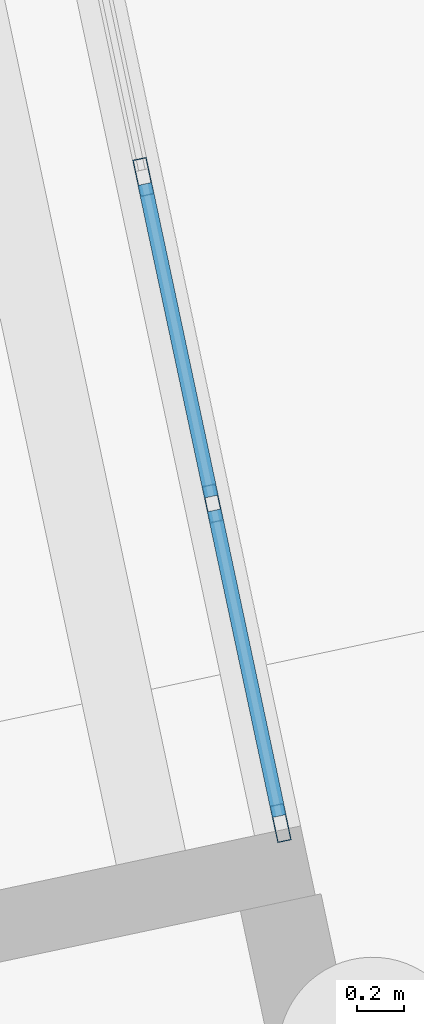
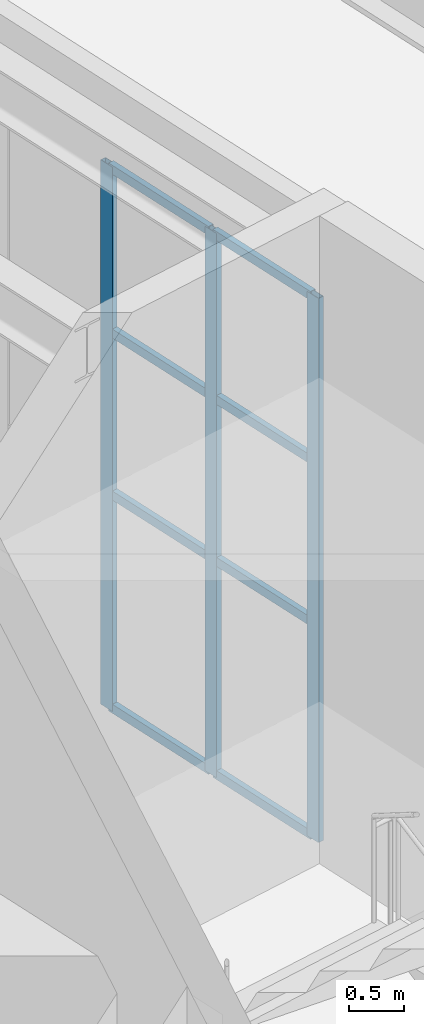
# One storey, part 121 of 239: 11 members, 1 element without a shape of its own.
"""IFC4 building model written with IfcOpenShell, lengths in metres."""

from ifc_helpers import new_model, si_unit, direction, frame, origin, origin_2d, place, context, subcontext, project, spatial, hollow_rectangle, extrude, material, material_profile, profile_set, type_object, element, aggregate, save


model = new_model("IFC4")

# Units and contexts
model_context = context("Model", 3, precision=1e-05, world=origin(), true_north=direction((0.0, 1.0)))
body_context = subcontext(model_context, "Body", "Model", "MODEL_VIEW")
ifc_project = project(units=[si_unit("LENGTHUNIT", "METRE"), si_unit("AREAUNIT", "SQUARE_METRE"), si_unit("VOLUMEUNIT", "CUBIC_METRE"), si_unit("PLANEANGLEUNIT", "RADIAN"), si_unit("MASSUNIT", "GRAM", prefix="KILO")], contexts=[model_context])

# Site, building, storey
site_placement = place(None, origin())
site = spatial("IfcSite", under=ifc_project, at=site_placement, CompositionType="ELEMENT")
building_placement = place(site_placement, origin())
building = spatial("IfcBuilding", under=site, at=building_placement, Name="Okhra Congress Centre", CompositionType="ELEMENT")
storey_placement = place(building_placement, origin())
storey = spatial("IfcBuildingStorey", under=building, at=storey_placement, Name="L00", CompositionType="ELEMENT", Elevation=0.0)

# Curtain wall, members
ifc_material_1 = material(Name="Aluminium curtain wall, triple glazing", Category="aluminium")
curtain_wall_type = type_object("IfcCurtainWallType", Name="Curtain wall 1500 module", PredefinedType="NOTDEFINED", material=ifc_material_1)
curtain_wall_placement = place(storey_placement, origin())
curtain_wall = element("IfcCurtainWall", 1, at=curtain_wall_placement, inside=storey, type_object=curtain_wall_type, Name="Ground curtain wall E13", PredefinedType="NOTDEFINED")
ifc_material_2 = material(Name="Aluminium alloy EN AW-6063 T66", Category="aluminium")
ifc_material_profile_1 = material_profile(ifc_material_2, hollow_rectangle(XDim=0.06005859375, YDim=0.159912109375, WallThickness=0.00390625, at=origin_2d()), Name="RHS 60x160x4")
ifc_profile_set_1 = profile_set([ifc_material_profile_1], Name="Aluminium alloy EN AW-6063 T66")
member_type_1 = type_object("IfcMemberType", Name="Curtain wall mullion 60x160", PredefinedType="MULLION", material=ifc_profile_set_1)
member_1_placement = place(storey_placement, frame((210.929931640625, 70.94873046875, 0.0), z_axis=(0.0, 0.0, 1.0), x_axis=(-0.978147600734, -0.207911690818, 0.0)))
member_1 = element("IfcMember", 2, at=member_1_placement, type_object=member_type_1, Name="CW7 mullion 1", PredefinedType="MULLION", context=body_context, shape_type="SweptSolid", body=[
    extrude(hollow_rectangle(XDim=0.06005859375, YDim=0.159912109375, WallThickness=0.00390625, at=origin_2d()), origin(), (0.0, 0.0, 1.0), 6.050048828125),
])
member_2_placement = place(storey_placement, frame((210.641357421875, 72.306396484375, 0.0), z_axis=(0.0, 0.0, 1.0), x_axis=(-0.978147600734, -0.207911690818, 0.0)))
member_2 = element("IfcMember", 3, at=member_2_placement, type_object=member_type_1, Name="CW7 mullion 2", PredefinedType="MULLION", context=body_context, shape_type="SweptSolid", body=[
    extrude(hollow_rectangle(XDim=0.06005859375, YDim=0.159912109375, WallThickness=0.00390625, at=origin_2d()), origin(), (0.0, 0.0, 1.0), 6.050048828125),
])
member_3_placement = place(storey_placement, frame((210.3466796875, 73.693359375, 0.0), z_axis=(0.0, 0.0, 1.0), x_axis=(-0.978147600734, -0.207911690818, 0.0)))
member_3 = element("IfcMember", 4, at=member_3_placement, type_object=member_type_1, Name="CW7 mullion 3", PredefinedType="MULLION", context=body_context, shape_type="SweptSolid", body=[
    extrude(hollow_rectangle(XDim=0.06005859375, YDim=0.159912109375, WallThickness=0.00390625, at=origin_2d()), origin(), (0.0, 0.0, 1.0), 6.050048828125),
])
ifc_material_profile_2 = material_profile(ifc_material_2, hollow_rectangle(XDim=0.06005859375, YDim=0.10009765625, WallThickness=0.00390625, at=origin_2d()), Name="RHS 60x100x4")
ifc_profile_set_2 = profile_set([ifc_material_profile_2], Name="Aluminium alloy EN AW-6063 T66")
member_type_2 = type_object("IfcMemberType", Name="Curtain wall transom 60x100", PredefinedType="USERDEFINED", material=ifc_profile_set_2)
member_4_placement = place(storey_placement, frame((210.923828125, 70.97802734375, 0.030029296875), z_axis=(-0.207909322635, 0.978148104104, 0.0), x_axis=(-0.978148104104, -0.207909322635, 0.0)))
member_4 = element("IfcMember", 5, at=member_4_placement, type_object=member_type_2, Name="CW7 transom 1.1", ObjectType="TRANSOM", PredefinedType="USERDEFINED", context=body_context, shape_type="SweptSolid", body=[
    extrude(hollow_rectangle(XDim=0.06005859375, YDim=0.10009765625, WallThickness=0.00390625, at=origin_2d()), origin(), (0.0, 0.0, 1.0), 1.328125),
])
member_5_placement = place(storey_placement, frame((210.923828125, 70.97802734375, 2.39990234375), z_axis=(-0.207909322635, 0.978148104104, 0.0), x_axis=(-0.978148104104, -0.207909322635, 0.0)))
member_5 = element("IfcMember", 6, at=member_5_placement, type_object=member_type_2, Name="CW7 transom 1.2", ObjectType="TRANSOM", PredefinedType="USERDEFINED", context=body_context, shape_type="SweptSolid", body=[
    extrude(hollow_rectangle(XDim=0.06005859375, YDim=0.10009765625, WallThickness=0.00390625, at=origin_2d()), origin(), (0.0, 0.0, 1.0), 1.328125),
])
member_6_placement = place(storey_placement, frame((210.923828125, 70.97802734375, 4.199951171875), z_axis=(-0.207909322635, 0.978148104104, 0.0), x_axis=(-0.978148104104, -0.207909322635, 0.0)))
member_6 = element("IfcMember", 7, at=member_6_placement, type_object=member_type_2, Name="CW7 transom 1.3", ObjectType="TRANSOM", PredefinedType="USERDEFINED", context=body_context, shape_type="SweptSolid", body=[
    extrude(hollow_rectangle(XDim=0.06005859375, YDim=0.10009765625, WallThickness=0.00390625, at=origin_2d()), origin(), (0.0, 0.0, 1.0), 1.328125),
])
member_7_placement = place(storey_placement, frame((210.923828125, 70.97802734375, 6.02001953125), z_axis=(-0.207909322635, 0.978148104104, 0.0), x_axis=(-0.978148104104, -0.207909322635, 0.0)))
member_7 = element("IfcMember", 8, at=member_7_placement, type_object=member_type_2, Name="CW7 transom 1.4", ObjectType="TRANSOM", PredefinedType="USERDEFINED", context=body_context, shape_type="SweptSolid", body=[
    extrude(hollow_rectangle(XDim=0.06005859375, YDim=0.10009765625, WallThickness=0.00390625, at=origin_2d()), origin(), (0.0, 0.0, 1.0), 1.328125),
])
member_8_placement = place(storey_placement, frame((210.63525390625, 72.335693359375, 0.030029296875), z_axis=(-0.207994206388, 0.97813005787, 0.0), x_axis=(-0.97813005787, -0.207994206388, 0.0)))
member_8 = element("IfcMember", 9, at=member_8_placement, type_object=member_type_2, Name="CW7 transom 2.1", ObjectType="TRANSOM", PredefinedType="USERDEFINED", context=body_context, shape_type="SweptSolid", body=[
    extrude(hollow_rectangle(XDim=0.06005859375, YDim=0.10009765625, WallThickness=0.00390625, at=origin_2d()), origin(), (0.0, 0.0, 1.0), 1.358154296875),
])
member_9_placement = place(storey_placement, frame((210.63525390625, 72.335693359375, 2.39990234375), z_axis=(-0.207994206388, 0.97813005787, 0.0), x_axis=(-0.97813005787, -0.207994206388, 0.0)))
member_9 = element("IfcMember", 10, at=member_9_placement, type_object=member_type_2, Name="CW7 transom 2.2", ObjectType="TRANSOM", PredefinedType="USERDEFINED", context=body_context, shape_type="SweptSolid", body=[
    extrude(hollow_rectangle(XDim=0.06005859375, YDim=0.10009765625, WallThickness=0.00390625, at=origin_2d()), origin(), (0.0, 0.0, 1.0), 1.358154296875),
])
member_10_placement = place(storey_placement, frame((210.63525390625, 72.335693359375, 4.199951171875), z_axis=(-0.207994206388, 0.97813005787, 0.0), x_axis=(-0.97813005787, -0.207994206388, 0.0)))
member_10 = element("IfcMember", 11, at=member_10_placement, type_object=member_type_2, Name="CW7 transom 2.3", ObjectType="TRANSOM", PredefinedType="USERDEFINED", context=body_context, shape_type="SweptSolid", body=[
    extrude(hollow_rectangle(XDim=0.06005859375, YDim=0.10009765625, WallThickness=0.00390625, at=origin_2d()), origin(), (0.0, 0.0, 1.0), 1.358154296875),
])
member_11_placement = place(storey_placement, frame((210.63525390625, 72.335693359375, 6.02001953125), z_axis=(-0.207994206388, 0.97813005787, 0.0), x_axis=(-0.97813005787, -0.207994206388, 0.0)))
member_11 = element("IfcMember", 12, at=member_11_placement, type_object=member_type_2, Name="CW7 transom 2.4", ObjectType="TRANSOM", PredefinedType="USERDEFINED", context=body_context, shape_type="SweptSolid", body=[
    extrude(hollow_rectangle(XDim=0.06005859375, YDim=0.10009765625, WallThickness=0.00390625, at=origin_2d()), origin(), (0.0, 0.0, 1.0), 1.358154296875),
])
aggregate(curtain_wall, [member_1, member_2, member_3, member_4, member_5, member_6, member_7, member_8, member_9, member_10, member_11])

save(model, "model.ifc")
